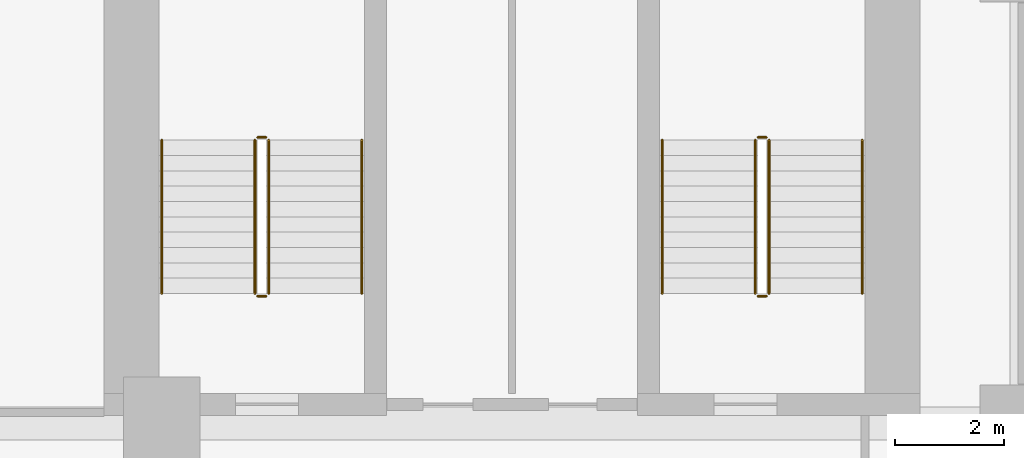
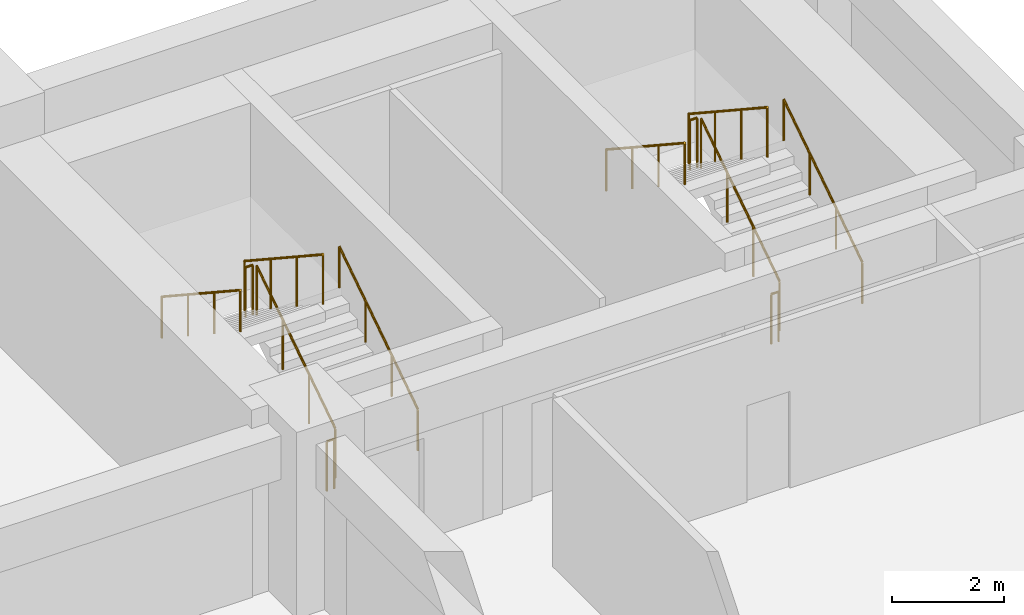
# One storey, part 7 of 7: 12 railings.
"""IFC4 building model written with IfcOpenShell, lengths in metres."""

from ifc_helpers import new_model, si_unit, direction, frame, origin, origin_2d, place, context, subcontext, project, spatial, circle, extrude, material, type_object, element, save


model = new_model("IFC4")

# Units and contexts
model_context = context("Model", 3, precision=1e-05, world=origin(), true_north=direction((0.0, 1.0)))
body_context = subcontext(model_context, "Body", "Model", "MODEL_VIEW")
ifc_project = project(units=[si_unit("LENGTHUNIT", "METRE"), si_unit("AREAUNIT", "SQUARE_METRE"), si_unit("VOLUMEUNIT", "CUBIC_METRE"), si_unit("PLANEANGLEUNIT", "RADIAN"), si_unit("MASSUNIT", "GRAM", prefix="KILO")], contexts=[model_context])

# Site, building, storey
site_placement = place(None, origin())
site = spatial("IfcSite", under=ifc_project, at=site_placement, CompositionType="ELEMENT")
building_placement = place(site_placement, origin())
building = spatial("IfcBuilding", under=site, at=building_placement, Name="Sulina Concourse Tower", CompositionType="ELEMENT")
storey_placement = place(building_placement, frame((0.0, 0.0, 13.5)))
storey = spatial("IfcBuildingStorey", under=building, at=storey_placement, Name="L03", CompositionType="ELEMENT", Elevation=13.5)

# Railings
ifc_material_1 = material(Name="Galvanised steel railing", Category="steel")
railing_type_1 = type_object("IfcRailingType", Name="Core Stair Steel Guardrail 1150mm", PredefinedType="GUARDRAIL", material=ifc_material_1)
railing_1_placement = place(storey_placement, frame((43.554931640625, 36.375, 0.18408203125)))
element("IfcRailing", 1, at=railing_1_placement, inside=storey, type_object=railing_type_1, Name="L03 ST-3 stair guard 1", PredefinedType="GUARDRAIL", context=body_context, shape_type="SweptSolid", body=[
    extrude(circle(Radius=0.02392578125, at=origin_2d()), frame((0.0, 0.0, 1.076171875), z_axis=(0.0, 0.835597507184, 0.549342157483), x_axis=(-1.0, 0.0, 0.0)), (0.0, 0.0, 1.0), 3.35107421875),
    extrude(circle(Radius=0.02099609375, at=origin_2d()), origin(), (0.0, 0.0, 1.0), 1.052001953125),
    extrude(circle(Radius=0.02099609375, at=origin_2d()), frame((0.0, 0.933349609375, 0.613525390625)), (0.0, 0.0, 1.0), 1.052001953125),
    extrude(circle(Radius=0.02099609375, at=origin_2d()), frame((0.0, 1.86669921875, 1.227294921875)), (0.0, 0.0, 1.0), 1.052001953125),
    extrude(circle(Radius=0.02099609375, at=origin_2d()), frame((0.0, 2.800048828125, 1.8408203125)), (0.0, 0.0, 1.0), 1.052001953125),
])
railing_2_placement = place(storey_placement, frame((43.5048828125, 39.22509765625, 2.02490234375)))
element("IfcRailing", 2, at=railing_2_placement, inside=storey, type_object=railing_type_1, Name="L03 ST-3 stair guard 2", PredefinedType="GUARDRAIL", context=body_context, shape_type="SweptSolid", body=[
    extrude(circle(Radius=0.02392578125, at=origin_2d()), frame((0.0, 0.0, 1.076171875), z_axis=(-1.0, 0.0, 0.0), x_axis=(0.0, -1.0, 0.0)), (0.0, 0.0, 1.0), 0.14990234375),
    extrude(circle(Radius=0.02099609375, at=origin_2d()), origin(), (0.0, 0.0, 1.0), 1.052001953125),
    extrude(circle(Radius=0.02099609375, at=origin_2d()), frame((-0.14990234375, 0.0, 0.0)), (0.0, 0.0, 1.0), 1.052001953125),
])
railing_3_placement = place(storey_placement, frame((43.304931640625, 39.175048828125, 2.208984375)))
element("IfcRailing", 3, at=railing_3_placement, inside=storey, type_object=railing_type_1, Name="L03 ST-3 stair guard 3", PredefinedType="GUARDRAIL", context=body_context, shape_type="SweptSolid", body=[
    extrude(circle(Radius=0.02392578125, at=origin_2d()), frame((0.0, 0.0, 1.076171875), z_axis=(0.0, -0.83556406348, 0.549393024911), x_axis=(1.0, 0.0, 0.0)), (0.0, 0.0, 1.0), 3.35107421875),
    extrude(circle(Radius=0.02099609375, at=origin_2d()), origin(), (0.0, 0.0, 1.0), 1.052001953125),
    extrude(circle(Radius=0.02099609375, at=origin_2d()), frame((0.0, -0.933349609375, 0.61376953125)), (0.0, 0.0, 1.0), 1.052001953125),
    extrude(circle(Radius=0.02099609375, at=origin_2d()), frame((0.0, -1.86669921875, 1.227294921875)), (0.0, 0.0, 1.0), 1.052001953125),
    extrude(circle(Radius=0.02099609375, at=origin_2d()), frame((0.0, -2.800048828125, 1.841064453125)), (0.0, 0.0, 1.0), 1.052001953125),
])
railing_4_placement = place(storey_placement, frame((43.5048828125, 36.324951171875, 0.0)))
element("IfcRailing", 4, at=railing_4_placement, inside=storey, type_object=railing_type_1, Name="L03 ST-3 stair guard 4", PredefinedType="GUARDRAIL", context=body_context, shape_type="SweptSolid", body=[
    extrude(circle(Radius=0.02392578125, at=origin_2d()), frame((0.0, 0.0, 1.076171875), z_axis=(-1.0, 0.0, 0.0), x_axis=(0.0, -1.0, 0.0)), (0.0, 0.0, 1.0), 0.14990234375),
    extrude(circle(Radius=0.02099609375, at=origin_2d()), origin(), (0.0, 0.0, 1.0), 1.052001953125),
    extrude(circle(Radius=0.02099609375, at=origin_2d()), frame((-0.14990234375, 0.0, 0.0)), (0.0, 0.0, 1.0), 1.052001953125),
])
railing_5_placement = place(storey_placement, frame((52.695068359375, 36.375, 0.18408203125)))
element("IfcRailing", 5, at=railing_5_placement, inside=storey, type_object=railing_type_1, Name="L03 ST-4 stair guard 1", PredefinedType="GUARDRAIL", context=body_context, shape_type="SweptSolid", body=[
    extrude(circle(Radius=0.02392578125, at=origin_2d()), frame((0.0, 0.0, 1.076171875), z_axis=(0.0, 0.835597507184, 0.549342157483), x_axis=(-1.0, 0.0, 0.0)), (0.0, 0.0, 1.0), 3.35107421875),
    extrude(circle(Radius=0.02099609375, at=origin_2d()), origin(), (0.0, 0.0, 1.0), 1.052001953125),
    extrude(circle(Radius=0.02099609375, at=origin_2d()), frame((0.0, 0.933349609375, 0.613525390625)), (0.0, 0.0, 1.0), 1.052001953125),
    extrude(circle(Radius=0.02099609375, at=origin_2d()), frame((0.0, 1.86669921875, 1.227294921875)), (0.0, 0.0, 1.0), 1.052001953125),
    extrude(circle(Radius=0.02099609375, at=origin_2d()), frame((0.0, 2.800048828125, 1.8408203125)), (0.0, 0.0, 1.0), 1.052001953125),
])
railing_6_placement = place(storey_placement, frame((52.64501953125, 39.22509765625, 2.02490234375)))
element("IfcRailing", 6, at=railing_6_placement, inside=storey, type_object=railing_type_1, Name="L03 ST-4 stair guard 2", PredefinedType="GUARDRAIL", context=body_context, shape_type="SweptSolid", body=[
    extrude(circle(Radius=0.02392578125, at=origin_2d()), frame((0.0, 0.0, 1.076171875), z_axis=(-1.0, 0.0, 0.0), x_axis=(0.0, -1.0, 0.0)), (0.0, 0.0, 1.0), 0.14990234375),
    extrude(circle(Radius=0.02099609375, at=origin_2d()), origin(), (0.0, 0.0, 1.0), 1.052001953125),
    extrude(circle(Radius=0.02099609375, at=origin_2d()), frame((-0.14990234375, 0.0, 0.0)), (0.0, 0.0, 1.0), 1.052001953125),
])
railing_7_placement = place(storey_placement, frame((52.445068359375, 39.175048828125, 2.208984375)))
element("IfcRailing", 7, at=railing_7_placement, inside=storey, type_object=railing_type_1, Name="L03 ST-4 stair guard 3", PredefinedType="GUARDRAIL", context=body_context, shape_type="SweptSolid", body=[
    extrude(circle(Radius=0.02392578125, at=origin_2d()), frame((0.0, 0.0, 1.076171875), z_axis=(0.0, -0.83556406348, 0.549393024911), x_axis=(1.0, 0.0, 0.0)), (0.0, 0.0, 1.0), 3.35107421875),
    extrude(circle(Radius=0.02099609375, at=origin_2d()), origin(), (0.0, 0.0, 1.0), 1.052001953125),
    extrude(circle(Radius=0.02099609375, at=origin_2d()), frame((0.0, -0.933349609375, 0.61376953125)), (0.0, 0.0, 1.0), 1.052001953125),
    extrude(circle(Radius=0.02099609375, at=origin_2d()), frame((0.0, -1.86669921875, 1.227294921875)), (0.0, 0.0, 1.0), 1.052001953125),
    extrude(circle(Radius=0.02099609375, at=origin_2d()), frame((0.0, -2.800048828125, 1.841064453125)), (0.0, 0.0, 1.0), 1.052001953125),
])
railing_8_placement = place(storey_placement, frame((52.64501953125, 36.324951171875, 0.0)))
element("IfcRailing", 8, at=railing_8_placement, inside=storey, type_object=railing_type_1, Name="L03 ST-4 stair guard 4", PredefinedType="GUARDRAIL", context=body_context, shape_type="SweptSolid", body=[
    extrude(circle(Radius=0.02392578125, at=origin_2d()), frame((0.0, 0.0, 1.076171875), z_axis=(-1.0, 0.0, 0.0), x_axis=(0.0, -1.0, 0.0)), (0.0, 0.0, 1.0), 0.14990234375),
    extrude(circle(Radius=0.02099609375, at=origin_2d()), origin(), (0.0, 0.0, 1.0), 1.052001953125),
    extrude(circle(Radius=0.02099609375, at=origin_2d()), frame((-0.14990234375, 0.0, 0.0)), (0.0, 0.0, 1.0), 1.052001953125),
])
ifc_material_2 = material(Name="Galvanised steel railing", Category="steel")
railing_type_2 = type_object("IfcRailingType", Name="Stair Wall Steel Handrail 920mm", PredefinedType="HANDRAIL", material=ifc_material_2)
railing_9_placement = place(storey_placement, frame((45.2548828125, 36.375, 0.18408203125)))
element("IfcRailing", 9, at=railing_9_placement, inside=storey, type_object=railing_type_2, Name="L03 ST-3 stair handrail 1", PredefinedType="HANDRAIL", context=body_context, shape_type="SweptSolid", body=[
    extrude(circle(Radius=0.02392578125, at=origin_2d()), frame((0.0, 0.0, 0.89599609375), z_axis=(0.0, 0.835597507184, 0.549342157483), x_axis=(-1.0, 0.0, 0.0)), (0.0, 0.0, 1.0), 3.35107421875),
    extrude(circle(Radius=0.02099609375, at=origin_2d()), origin(), (0.0, 0.0, 1.0), 0.871826171875),
    extrude(circle(Radius=0.02099609375, at=origin_2d()), frame((0.0, 0.933349609375, 0.613525390625)), (0.0, 0.0, 1.0), 0.871826171875),
    extrude(circle(Radius=0.02099609375, at=origin_2d()), frame((0.0, 1.86669921875, 1.227294921875)), (0.0, 0.0, 1.0), 0.871826171875),
    extrude(circle(Radius=0.02099609375, at=origin_2d()), frame((0.0, 2.800048828125, 1.8408203125)), (0.0, 0.0, 1.0), 0.871826171875),
])
railing_10_placement = place(storey_placement, frame((41.60498046875, 39.175048828125, 2.208984375)))
element("IfcRailing", 10, at=railing_10_placement, inside=storey, type_object=railing_type_2, Name="L03 ST-3 stair handrail 2", PredefinedType="HANDRAIL", context=body_context, shape_type="SweptSolid", body=[
    extrude(circle(Radius=0.02392578125, at=origin_2d()), frame((0.0, 0.0, 0.89599609375), z_axis=(0.0, -0.83556406348, 0.549393024911), x_axis=(1.0, 0.0, 0.0)), (0.0, 0.0, 1.0), 3.35107421875),
    extrude(circle(Radius=0.02099609375, at=origin_2d()), origin(), (0.0, 0.0, 1.0), 0.871826171875),
    extrude(circle(Radius=0.02099609375, at=origin_2d()), frame((0.0, -0.933349609375, 0.61376953125)), (0.0, 0.0, 1.0), 0.871826171875),
    extrude(circle(Radius=0.02099609375, at=origin_2d()), frame((0.0, -1.86669921875, 1.227294921875)), (0.0, 0.0, 1.0), 0.871826171875),
    extrude(circle(Radius=0.02099609375, at=origin_2d()), frame((0.0, -2.800048828125, 1.841064453125)), (0.0, 0.0, 1.0), 0.871826171875),
])
railing_11_placement = place(storey_placement, frame((54.39501953125, 36.375, 0.18408203125)))
element("IfcRailing", 11, at=railing_11_placement, inside=storey, type_object=railing_type_2, Name="L03 ST-4 stair handrail 1", PredefinedType="HANDRAIL", context=body_context, shape_type="SweptSolid", body=[
    extrude(circle(Radius=0.02392578125, at=origin_2d()), frame((0.0, 0.0, 0.89599609375), z_axis=(0.0, 0.835597507184, 0.549342157483), x_axis=(-1.0, 0.0, 0.0)), (0.0, 0.0, 1.0), 3.35107421875),
    extrude(circle(Radius=0.02099609375, at=origin_2d()), origin(), (0.0, 0.0, 1.0), 0.871826171875),
    extrude(circle(Radius=0.02099609375, at=origin_2d()), frame((0.0, 0.933349609375, 0.613525390625)), (0.0, 0.0, 1.0), 0.871826171875),
    extrude(circle(Radius=0.02099609375, at=origin_2d()), frame((0.0, 1.86669921875, 1.227294921875)), (0.0, 0.0, 1.0), 0.871826171875),
    extrude(circle(Radius=0.02099609375, at=origin_2d()), frame((0.0, 2.800048828125, 1.8408203125)), (0.0, 0.0, 1.0), 0.871826171875),
])
railing_12_placement = place(storey_placement, frame((50.7451171875, 39.175048828125, 2.208984375)))
element("IfcRailing", 12, at=railing_12_placement, inside=storey, type_object=railing_type_2, Name="L03 ST-4 stair handrail 2", PredefinedType="HANDRAIL", context=body_context, shape_type="SweptSolid", body=[
    extrude(circle(Radius=0.02392578125, at=origin_2d()), frame((0.0, 0.0, 0.89599609375), z_axis=(0.0, -0.83556406348, 0.549393024911), x_axis=(1.0, 0.0, 0.0)), (0.0, 0.0, 1.0), 3.35107421875),
    extrude(circle(Radius=0.02099609375, at=origin_2d()), origin(), (0.0, 0.0, 1.0), 0.871826171875),
    extrude(circle(Radius=0.02099609375, at=origin_2d()), frame((0.0, -0.933349609375, 0.61376953125)), (0.0, 0.0, 1.0), 0.871826171875),
    extrude(circle(Radius=0.02099609375, at=origin_2d()), frame((0.0, -1.86669921875, 1.227294921875)), (0.0, 0.0, 1.0), 0.871826171875),
    extrude(circle(Radius=0.02099609375, at=origin_2d()), frame((0.0, -2.800048828125, 1.841064453125)), (0.0, 0.0, 1.0), 0.871826171875),
])

save(model, "model.ifc")
